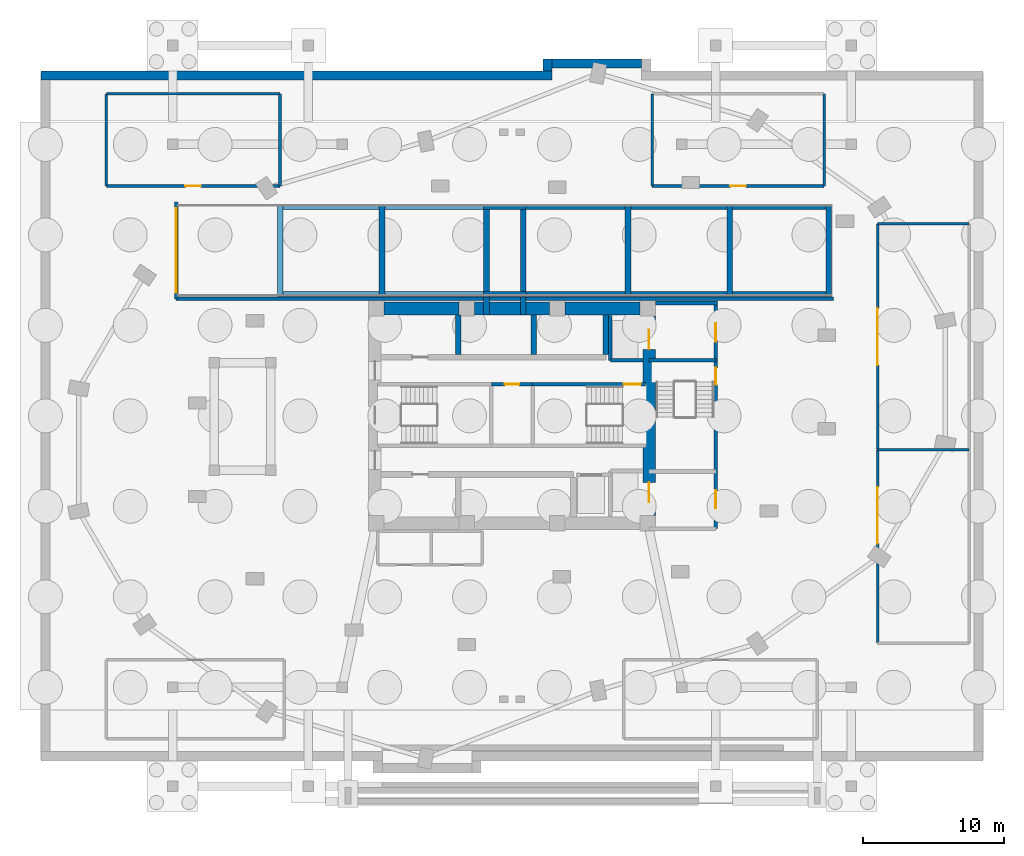
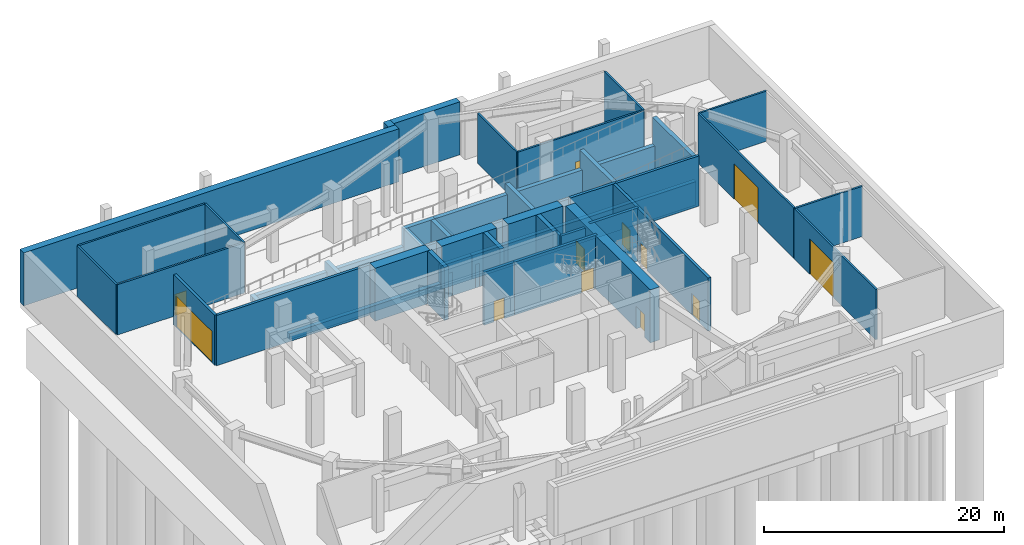
# One storey, part 4 of 8: 43 walls, 12 doors, 12 openings.
"""IFC4 building model written with IfcOpenShell, lengths in metres."""

from ifc_helpers import new_model, si_unit, direction, frame, frame_2d, origin, place, context, subcontext, project, spatial, rectangle, extrude, material, layer, layer_set, type_object, element, fill, save


model = new_model("IFC4")

# Units and contexts
model_context = context("Model", 3, precision=1e-05, world=origin(), true_north=direction((0.0, 1.0)))
body_context = subcontext(model_context, "Body", "Model", "MODEL_VIEW")
ifc_project = project(units=[si_unit("LENGTHUNIT", "METRE"), si_unit("AREAUNIT", "SQUARE_METRE"), si_unit("VOLUMEUNIT", "CUBIC_METRE"), si_unit("PLANEANGLEUNIT", "RADIAN"), si_unit("MASSUNIT", "GRAM", prefix="KILO")], contexts=[model_context])

# Site, building, storey
site_placement = place(None, origin())
site = spatial("IfcSite", under=ifc_project, at=site_placement, CompositionType="ELEMENT")
building_placement = place(site_placement, origin())
building = spatial("IfcBuilding", under=site, at=building_placement, Name="Lazwardi Medical Tower", CompositionType="ELEMENT")
storey_placement = place(building_placement, frame((0.0, 0.0, -5.39990234375)))
storey = spatial("IfcBuildingStorey", under=building, at=storey_placement, Name="B1", CompositionType="ELEMENT", Elevation=-5.39990234375)

# Wall
ifc_material_1 = material(Name="Fire-rated gypsum board on steel stud", Category="steel")
ifc_layer_1 = layer(ifc_material_1, 0.179931640625)
ifc_layer_set_1 = layer_set([ifc_layer_1], Name="Fire-rated gypsum board on steel stud")
wall_type_1 = type_object("IfcWallType", Name="WL-COR-180", PredefinedType="PARTITIONING", material=ifc_layer_set_1)
wall_1_placement = place(storey_placement, frame((61.8701171875, 25.60009765625, 0.0), z_axis=(0.0, 0.0, 1.0), x_axis=(1.0, 0.0, 0.0)))
element("IfcWall", 1, at=wall_1_placement, inside=storey, type_object=wall_type_1, Name="B1 Loading Bay wall N", PredefinedType="PARTITIONING", context=body_context, shape_type="SweptSolid", body=[
    extrude(rectangle(XDim=6.4599609375, YDim=0.179931640625, at=frame_2d((3.22998046875, 0.0))), origin(), (0.0, 0.0, 1.0), 5.119873046875),
])

# Wall, opening, door
wall_2_placement = place(storey_placement, frame((61.860107421875, 11.919921875, 0.0), z_axis=(0.0, 0.0, 1.0), x_axis=(0.0, 1.0, 0.0)))
wall_2 = element("IfcWall", 2, at=wall_2_placement, inside=storey, type_object=wall_type_1, Name="B1 Loading Bay wall W", PredefinedType="PARTITIONING", context=body_context, shape_type="SweptSolid", body=[
    extrude(rectangle(XDim=13.670166015625, YDim=0.179931640625, at=frame_2d((6.8349609375, 0.0))), origin(), (0.0, 0.0, 1.0), 5.119873046875),
])
opening_1_placement = place(wall_2_placement, frame((7.034912109375, 0.0, 0.0)))
opening_1 = element("IfcOpeningElement", 3, at=opening_1_placement, cuts=wall_2, Name="Opening VG-B1-001", PredefinedType="OPENING", context=body_context, shape_type="SweptSolid", body=[
    extrude(rectangle(XDim=4.0, YDim=3.60009765625, at=frame_2d((2.0, 1.800048828125))), frame((0.0, 0.099853515625, 0.0), z_axis=(0.0, -1.0, 0.0), x_axis=(1.0, 0.0, 0.0)), (0.0, 0.0, 1.0), 0.199951171875),
])
ifc_material_2 = material(Name="Insulated galvanised steel roller shutter", Category="steel")
door_type_1 = type_object("IfcDoorType", Name="DR-LDG-4000", OperationType="NOTDEFINED", PredefinedType="GATE", material=ifc_material_2)
door_1_placement = place(opening_1_placement, origin())
door_1 = element("IfcDoor", 4, at=door_1_placement, inside=storey, type_object=door_type_1, Name="B1 Loading Bay Door", OperationType="ROLLINGUP", OverallHeight=3.60009765625, OverallWidth=4.0, PredefinedType="GATE", context=body_context, shape_type="SweptSolid", body=[
    extrude(rectangle(XDim=4.0, YDim=3.60009765625, at=frame_2d((2.0, 1.800048828125))), frame((0.0, 0.02490234375, 0.0), z_axis=(0.0, -1.0, 0.0), x_axis=(1.0, 0.0, 0.0)), (0.0, 0.0, 1.0), 0.050048828125),
])
fill(opening_1, door_1)

# Wall
wall_3_placement = place(storey_placement, frame((61.8701171875, 41.590087890625, 0.0), z_axis=(0.0, 0.0, 1.0), x_axis=(1.0, 0.0, 0.0)))
element("IfcWall", 5, at=wall_3_placement, inside=storey, type_object=wall_type_1, Name="B1 Sterile Store wall N", PredefinedType="PARTITIONING", context=body_context, shape_type="SweptSolid", body=[
    extrude(rectangle(XDim=6.4599609375, YDim=0.179931640625, at=frame_2d((3.22998046875, 0.0))), origin(), (0.0, 0.0, 1.0), 5.119873046875),
])

# Wall, opening, door
wall_4_placement = place(storey_placement, frame((61.860107421875, 25.610107421875, 0.0), z_axis=(0.0, 0.0, 1.0), x_axis=(0.0, 1.0, 0.0)))
wall_4 = element("IfcWall", 6, at=wall_4_placement, inside=storey, type_object=wall_type_1, Name="B1 Sterile Store wall W", PredefinedType="PARTITIONING", context=body_context, shape_type="SweptSolid", body=[
    extrude(rectangle(XDim=15.969970703125, YDim=0.179931640625, at=frame_2d((7.98486328125, 0.0))), origin(), (0.0, 0.0, 1.0), 5.119873046875),
])
opening_2_placement = place(wall_4_placement, frame((5.985107421875, 0.0, 0.0)))
opening_2 = element("IfcOpeningElement", 7, at=opening_2_placement, cuts=wall_4, Name="Opening VG-B1-002", PredefinedType="OPENING", context=body_context, shape_type="SweptSolid", body=[
    extrude(rectangle(XDim=4.0, YDim=3.60009765625, at=frame_2d((2.0, 1.800048828125))), frame((0.0, 0.099853515625, 0.0), z_axis=(0.0, -1.0, 0.0), x_axis=(1.0, 0.0, 0.0)), (0.0, 0.0, 1.0), 0.199951171875),
])
door_2_placement = place(opening_2_placement, origin())
door_2 = element("IfcDoor", 8, at=door_2_placement, inside=storey, type_object=door_type_1, Name="B1 Sterile Store Door", OperationType="ROLLINGUP", OverallHeight=3.60009765625, OverallWidth=4.0, PredefinedType="GATE", context=body_context, shape_type="SweptSolid", body=[
    extrude(rectangle(XDim=4.0, YDim=3.60009765625, at=frame_2d((2.0, 1.800048828125))), frame((0.0, 0.02490234375, 0.0), z_axis=(0.0, -1.0, 0.0), x_axis=(1.0, 0.0, 0.0)), (0.0, 0.0, 1.0), 0.050048828125),
])
fill(opening_2, door_2)

wall_5_placement = place(storey_placement, frame((45.919921875, 44.260009765625, 0.0), z_axis=(0.0, 0.0, 1.0), x_axis=(1.0, 0.0, 0.0)))
wall_5 = element("IfcWall", 9, at=wall_5_placement, inside=storey, type_object=wall_type_1, Name="B1 Medical Gas Plant Room wall S", PredefinedType="PARTITIONING", context=body_context, shape_type="SweptSolid", body=[
    extrude(rectangle(XDim=12.16015625, YDim=0.179931640625, at=frame_2d((6.080078125, 0.0))), origin(), (0.0, 0.0, 1.0), 5.119873046875),
])
opening_3_placement = place(wall_5_placement, frame((5.530029296875, 0.0, 0.0)))
opening_3 = element("IfcOpeningElement", 10, at=opening_3_placement, cuts=wall_5, Name="Opening D-B1-010", PredefinedType="OPENING", context=body_context, shape_type="SweptSolid", body=[
    extrude(rectangle(XDim=1.10009765625, YDim=2.14990234375, at=frame_2d((0.550048828125, 1.074951171875))), frame((0.0, 0.099853515625, 0.0), z_axis=(0.0, -1.0, 0.0), x_axis=(1.0, 0.0, 0.0)), (0.0, 0.0, 1.0), 0.199951171875),
])
ifc_material_3 = material(Name="Fire-rated steel leaf and frame", Category="steel")
door_type_2 = type_object("IfcDoorType", Name="DR-PLT-1100", OperationType="NOTDEFINED", PredefinedType="DOOR", material=ifc_material_3)
door_3_placement = place(opening_3_placement, origin())
door_3 = element("IfcDoor", 11, at=door_3_placement, inside=storey, type_object=door_type_2, Name="B1 Medical Gas Plant Room Door", OperationType="SINGLE_SWING_RIGHT", OverallHeight=2.14990234375, OverallWidth=1.10009765625, PredefinedType="DOOR", context=body_context, shape_type="SweptSolid", body=[
    extrude(rectangle(XDim=1.10009765625, YDim=2.14990234375, at=frame_2d((0.550048828125, 1.074951171875))), frame((0.0, 0.02490234375, 0.0), z_axis=(0.0, -1.0, 0.0), x_axis=(1.0, 0.0, 0.0)), (0.0, 0.0, 1.0), 0.050048828125),
])
fill(opening_3, door_3)

# Walls
for number, where, z_axis, x_axis, name in (
    (12, (58.090087890625, 44.27001953125, 0.0), (0.0, 0.0, 1.0), (0.0, 1.0, 0.0), "B1 Medical Gas Plant Room wall E"),
    (13, (45.909912109375, 44.27001953125, 0.0), (0.0, 0.0, 1.0), (0.0, 1.0, 0.0), "B1 Medical Gas Plant Room wall W"),
):
    element("IfcWall", number, at=place(storey_placement, frame(where, z_axis=z_axis, x_axis=x_axis)), inside=storey, type_object=wall_type_1, Name=name, PredefinedType="PARTITIONING", context=body_context, shape_type="SweptSolid", body=[
        extrude(rectangle(XDim=6.510009765625, YDim=0.179931640625, at=frame_2d((3.2548828125, 0.0))), origin(), (0.0, 0.0, 1.0), 5.119873046875),
    ])
wall_6_placement = place(storey_placement, frame((7.320068359375, 50.7900390625, 0.0), z_axis=(0.0, 0.0, 1.0), x_axis=(1.0, 0.0, 0.0)))
element("IfcWall", 14, at=wall_6_placement, inside=storey, type_object=wall_type_1, Name="B1 Electrical Switchroom wall N", PredefinedType="PARTITIONING", context=body_context, shape_type="SweptSolid", body=[
    extrude(rectangle(XDim=12.260009765625, YDim=0.179931640625, at=frame_2d((6.1298828125, 0.0))), origin(), (0.0, 0.0, 1.0), 5.119873046875),
])

# Wall, opening, door
wall_7_placement = place(storey_placement, frame((7.320068359375, 44.260009765625, 0.0), z_axis=(0.0, 0.0, 1.0), x_axis=(1.0, 0.0, 0.0)))
wall_7 = element("IfcWall", 15, at=wall_7_placement, inside=storey, type_object=wall_type_1, Name="B1 Electrical Switchroom wall S", PredefinedType="PARTITIONING", context=body_context, shape_type="SweptSolid", body=[
    extrude(rectangle(XDim=12.260009765625, YDim=0.179931640625, at=frame_2d((6.1298828125, 0.0))), origin(), (0.0, 0.0, 1.0), 5.119873046875),
])
opening_4_placement = place(wall_7_placement, frame((5.580078125, 0.0, 0.0)))
opening_4 = element("IfcOpeningElement", 16, at=opening_4_placement, cuts=wall_7, Name="Opening D-B1-005", PredefinedType="OPENING", context=body_context, shape_type="SweptSolid", body=[
    extrude(rectangle(XDim=1.10009765625, YDim=2.14990234375, at=frame_2d((0.550048828125, 1.074951171875))), frame((0.0, 0.099853515625, 0.0), z_axis=(0.0, -1.0, 0.0), x_axis=(1.0, 0.0, 0.0)), (0.0, 0.0, 1.0), 0.199951171875),
])
door_4_placement = place(opening_4_placement, origin())
door_4 = element("IfcDoor", 17, at=door_4_placement, inside=storey, type_object=door_type_2, Name="B1 Electrical Switchroom Door", OperationType="SINGLE_SWING_LEFT", OverallHeight=2.14990234375, OverallWidth=1.10009765625, PredefinedType="DOOR", context=body_context, shape_type="SweptSolid", body=[
    extrude(rectangle(XDim=1.10009765625, YDim=2.14990234375, at=frame_2d((0.550048828125, 1.074951171875))), frame((0.0, 0.02490234375, 0.0), z_axis=(0.0, -1.0, 0.0), x_axis=(1.0, 0.0, 0.0)), (0.0, 0.0, 1.0), 0.050048828125),
])
fill(opening_4, door_4)

# Walls
for number, where, z_axis, x_axis, name in (
    (18, (19.590087890625, 44.27001953125, 0.0), (0.0, 0.0, 1.0), (0.0, 1.0, 0.0), "B1 Electrical Switchroom wall E"),
    (19, (7.31005859375, 44.27001953125, 0.0), (0.0, 0.0, 1.0), (0.0, 1.0, 0.0), "B1 Electrical Switchroom wall W"),
):
    element("IfcWall", number, at=place(storey_placement, frame(where, z_axis=z_axis, x_axis=x_axis)), inside=storey, type_object=wall_type_1, Name=name, PredefinedType="PARTITIONING", context=body_context, shape_type="SweptSolid", body=[
        extrude(rectangle(XDim=6.510009765625, YDim=0.179931640625, at=frame_2d((3.2548828125, 0.0))), origin(), (0.0, 0.0, 1.0), 5.119873046875),
    ])

# Wall, openings, doors
ifc_material_4 = material(Name="Concrete C80/95", Category="concrete")
ifc_layer_2 = layer(ifc_material_4, 0.89990234375)
ifc_layer_set_2 = layer_set([ifc_layer_2], Name="Concrete C80/95")
wall_type_2 = type_object("IfcWallType", Name="WL-CORE-900", PredefinedType="SHEAR", material=ifc_layer_set_2)
wall_8_placement = place(storey_placement, frame((45.699951171875, 20.949951171875, 0.0), z_axis=(0.0, 0.0, 1.0), x_axis=(0.0, 1.0, 0.0)))
wall_8 = element("IfcWall", 20, at=wall_8_placement, inside=storey, type_object=wall_type_2, Name="Core wall CW-S1 east B1", PredefinedType="SHEAR", context=body_context, shape_type="SweptSolid", body=[
    extrude(rectangle(XDim=14.10009765625, YDim=0.89990234375, at=frame_2d((7.050048828125, 0.0))), origin(), (0.0, 0.0, 1.0), 5.39990234375),
])
opening_5_placement = place(wall_8_placement, frame((11.75, 0.0, 0.0)))
opening_5 = element("IfcOpeningElement", 21, at=opening_5_placement, cuts=wall_8, Name="Opening LD-B1-001", PredefinedType="OPENING", context=body_context, shape_type="SweptSolid", body=[
    extrude(rectangle(XDim=1.39990234375, YDim=2.300048828125, at=frame_2d((0.699951171875, 1.14990234375))), frame((0.0, 0.4599609375, 0.0), z_axis=(0.0, -1.0, 0.0), x_axis=(1.0, 0.0, 0.0)), (0.0, 0.0, 1.0), 0.919921875),
])
opening_6_placement = place(wall_8_placement, frame((0.949951171875, 0.0, 0.0)))
opening_6 = element("IfcOpeningElement", 22, at=opening_6_placement, cuts=wall_8, Name="Opening LD-B1-002", PredefinedType="OPENING", context=body_context, shape_type="SweptSolid", body=[
    extrude(rectangle(XDim=1.39990234375, YDim=2.300048828125, at=frame_2d((0.699951171875, 1.14990234375))), frame((0.0, 0.4599609375, 0.0), z_axis=(0.0, -1.0, 0.0), x_axis=(1.0, 0.0, 0.0)), (0.0, 0.0, 1.0), 0.919921875),
])
ifc_material_5 = material(Name="Brushed stainless steel bed-lift landing door", Category="steel")
door_type_3 = type_object("IfcDoorType", Name="DR-LFT-1400", OperationType="NOTDEFINED", PredefinedType="DOOR", material=ifc_material_5)
door_5_placement = place(opening_5_placement, origin())
door_5 = element("IfcDoor", 23, at=door_5_placement, inside=storey, type_object=door_type_3, Name="B1 Lift Landing Door FL-01", OperationType="SLIDING_TO_LEFT", OverallHeight=2.300048828125, OverallWidth=1.39990234375, PredefinedType="DOOR", context=body_context, shape_type="SweptSolid", body=[
    extrude(rectangle(XDim=1.39990234375, YDim=2.300048828125, at=frame_2d((0.699951171875, 1.14990234375))), frame((0.0, 0.02490234375, 0.0), z_axis=(0.0, -1.0, 0.0), x_axis=(1.0, 0.0, 0.0)), (0.0, 0.0, 1.0), 0.050048828125),
])
fill(opening_5, door_5)
door_6_placement = place(opening_6_placement, origin())
door_6 = element("IfcDoor", 24, at=door_6_placement, inside=storey, type_object=door_type_3, Name="B1 Lift Landing Door FL-02", OperationType="SLIDING_TO_LEFT", OverallHeight=2.300048828125, OverallWidth=1.39990234375, PredefinedType="DOOR", context=body_context, shape_type="SweptSolid", body=[
    extrude(rectangle(XDim=1.39990234375, YDim=2.300048828125, at=frame_2d((0.699951171875, 1.14990234375))), frame((0.0, 0.02490234375, 0.0), z_axis=(0.0, -1.0, 0.0), x_axis=(1.0, 0.0, 0.0)), (0.0, 0.0, 1.0), 0.050048828125),
])
fill(opening_6, door_6)

# Walls
wall_9_placement = place(storey_placement, frame((26.949951171875, 35.60009765625, 0.0), z_axis=(0.0, 0.0, 1.0), x_axis=(1.0, 0.0, 0.0)))
element("IfcWall", 25, at=wall_9_placement, inside=storey, type_object=wall_type_2, Name="Core wall CW-S1 N1 B1", PredefinedType="SHEAR", context=body_context, shape_type="SweptSolid", body=[
    extrude(rectangle(XDim=5.300048828125, YDim=0.89990234375, at=frame_2d((2.64990234375, 0.0))), origin(), (0.0, 0.0, 1.0), 5.39990234375),
])
wall_10_placement = place(storey_placement, frame((33.35009765625, 35.60009765625, 0.0), z_axis=(0.0, 0.0, 1.0), x_axis=(1.0, 0.0, 0.0)))
element("IfcWall", 26, at=wall_10_placement, inside=storey, type_object=wall_type_2, Name="Core wall CW-S1 N2 B1", PredefinedType="SHEAR", context=body_context, shape_type="SweptSolid", body=[
    extrude(rectangle(XDim=5.2998046875, YDim=0.89990234375, at=frame_2d((2.64990234375, 0.0))), origin(), (0.0, 0.0, 1.0), 5.39990234375),
])
wall_11_placement = place(storey_placement, frame((39.75, 35.60009765625, 0.0), z_axis=(0.0, 0.0, 1.0), x_axis=(1.0, 0.0, 0.0)))
element("IfcWall", 27, at=wall_11_placement, inside=storey, type_object=wall_type_2, Name="Core wall CW-S1 N3 B1", PredefinedType="SHEAR", context=body_context, shape_type="SweptSolid", body=[
    extrude(rectangle(XDim=5.300048828125, YDim=0.89990234375, at=frame_2d((2.64990234375, 0.0))), origin(), (0.0, 0.0, 1.0), 5.39990234375),
])
ifc_material_6 = material(Name="Concrete C50/60", Category="concrete")
ifc_layer_3 = layer(ifc_material_6, 0.39990234375)
ifc_layer_set_3 = layer_set([ifc_layer_3], Name="Concrete C50/60")
wall_type_3 = type_object("IfcWallType", Name="WL-PIT-400", PredefinedType="SHEAR", material=ifc_layer_set_3)
for number, where, z_axis, x_axis, name in (
    (28, (32.199951171875, 32.35009765625, 0.0), (0.0, 0.0, 1.0), (0.0, 1.0, 0.0), "Lift pit wall PW-01 north bank divider 1"),
    (29, (37.550048828125, 32.35009765625, 0.0), (0.0, 0.0, 1.0), (0.0, 1.0, 0.0), "Lift pit wall PW-01 north bank divider 2"),
    (30, (42.64990234375, 32.35009765625, 0.0), (0.0, 0.0, 1.0), (0.0, 1.0, 0.0), "Lift pit wall PW-01 north end closure"),
):
    element("IfcWall", number, at=place(storey_placement, frame(where, z_axis=z_axis, x_axis=x_axis)), inside=storey, type_object=wall_type_3, Name=name, PredefinedType="SHEAR", context=body_context, shape_type="SweptSolid", body=[
        extrude(rectangle(XDim=2.7998046875, YDim=0.39990234375, at=frame_2d((1.39990234375, 0.0))), origin(), (0.0, 0.0, 1.0), 5.39990234375),
    ])
wall_12_placement = place(storey_placement, frame((19.60009765625, 36.39990234375, 0.0), z_axis=(0.0, 0.0, 1.0), x_axis=(0.0, 1.0, 0.0)))
element("IfcWall", 31, at=wall_12_placement, inside=storey, type_object=wall_type_3, Name="B1 Vehicle Ramp Flight 1 Pier Wall 1", PredefinedType="SHEAR", context=body_context, shape_type="SweptSolid", body=[
    extrude(rectangle(XDim=6.60009765625, YDim=0.39990234375, at=frame_2d((3.300048828125, 0.0))), origin(), (0.0, 0.0, 1.0), 0.599853515625),
])
wall_13_placement = place(storey_placement, frame((26.800048828125, 36.39990234375, 0.0), z_axis=(0.0, 0.0, 1.0), x_axis=(0.0, 1.0, 0.0)))
element("IfcWall", 32, at=wall_13_placement, inside=storey, type_object=wall_type_3, Name="B1 Vehicle Ramp Flight 1 Pier Wall 2", PredefinedType="SHEAR", context=body_context, shape_type="SweptSolid", body=[
    extrude(rectangle(XDim=6.60009765625, YDim=0.39990234375, at=frame_2d((3.300048828125, 0.0))), origin(), (0.0, 0.0, 1.0), 1.5),
])
for number, where, z_axis, x_axis, name in (
    (33, (19.39990234375, 36.60009765625, 0.0), (0.0, 0.0, 1.0), (1.0, 0.0, 0.0), "B1 Vehicle Ramp Flight 1 South Support Wall"),
    (34, (19.39990234375, 42.800048828125, 0.0), (0.0, 0.0, 1.0), (1.0, 0.0, 0.0), "B1 Vehicle Ramp Flight 1 North Support Wall"),
):
    element("IfcWall", number, at=place(storey_placement, frame(where, z_axis=z_axis, x_axis=x_axis)), inside=storey, type_object=wall_type_3, Name=name, PredefinedType="SHEAR", context=body_context, shape_type="SweptSolid", body=[
        extrude(rectangle(XDim=15.0, YDim=0.39990234375, at=frame_2d((7.5, 0.0))), origin(), (0.0, 0.0, 1.0), 0.599853515625),
    ])
for number, where, z_axis, x_axis, name in (
    (35, (34.199951171875, 35.14990234375, 0.0), (0.0, 0.0, 1.0), (0.0, 1.0, 0.0), "B1 Vehicle Ramp Mid-Landing West Wall"),
    (36, (36.800048828125, 35.14990234375, 0.0), (0.0, 0.0, 1.0), (0.0, 1.0, 0.0), "B1 Vehicle Ramp Mid-Landing East Wall"),
):
    element("IfcWall", number, at=place(storey_placement, frame(where, z_axis=z_axis, x_axis=x_axis)), inside=storey, type_object=wall_type_3, Name=name, PredefinedType="SHEAR", context=body_context, shape_type="SweptSolid", body=[
        extrude(rectangle(XDim=7.85009765625, YDim=0.39990234375, at=frame_2d((3.925048828125, 0.0))), origin(), (0.0, 0.0, 1.0), 2.39990234375),
    ])
for number, where, z_axis, x_axis, name in (
    (37, (34.0, 36.60009765625, 0.0), (0.0, 0.0, 1.0), (1.0, 0.0, 0.0), "B1 Vehicle Ramp Mid-Landing South Wall"),
    (38, (34.0, 42.800048828125, 0.0), (0.0, 0.0, 1.0), (1.0, 0.0, 0.0), "B1 Vehicle Ramp Mid-Landing North Wall"),
):
    element("IfcWall", number, at=place(storey_placement, frame(where, z_axis=z_axis, x_axis=x_axis)), inside=storey, type_object=wall_type_3, Name=name, PredefinedType="SHEAR", context=body_context, shape_type="SweptSolid", body=[
        extrude(rectangle(XDim=3.0, YDim=0.39990234375, at=frame_2d((1.5, 0.0))), origin(), (0.0, 0.0, 1.0), 2.39990234375),
    ])
wall_14_placement = place(storey_placement, frame((44.199951171875, 36.39990234375, 0.0), z_axis=(0.0, 0.0, 1.0), x_axis=(0.0, 1.0, 0.0)))
element("IfcWall", 39, at=wall_14_placement, inside=storey, type_object=wall_type_3, Name="B1 Vehicle Ramp Flight 2 Pier Wall 1", PredefinedType="SHEAR", context=body_context, shape_type="SweptSolid", body=[
    extrude(rectangle(XDim=6.60009765625, YDim=0.39990234375, at=frame_2d((3.300048828125, 0.0))), origin(), (0.0, 0.0, 1.0), 3.2998046875),
])
wall_15_placement = place(storey_placement, frame((51.39990234375, 36.39990234375, 0.0), z_axis=(0.0, 0.0, 1.0), x_axis=(0.0, 1.0, 0.0)))
element("IfcWall", 40, at=wall_15_placement, inside=storey, type_object=wall_type_3, Name="B1 Vehicle Ramp Flight 2 Pier Wall 2", PredefinedType="SHEAR", context=body_context, shape_type="SweptSolid", body=[
    extrude(rectangle(XDim=6.60009765625, YDim=0.39990234375, at=frame_2d((3.300048828125, 0.0))), origin(), (0.0, 0.0, 1.0), 4.199951171875),
])
for number, where, z_axis, x_axis, name in (
    (41, (36.60009765625, 36.60009765625, 0.0), (0.0, 0.0, 1.0), (1.0, 0.0, 0.0), "B1 Vehicle Ramp Flight 2 South Support Wall"),
    (42, (36.60009765625, 42.800048828125, 0.0), (0.0, 0.0, 1.0), (1.0, 0.0, 0.0), "B1 Vehicle Ramp Flight 2 North Support Wall"),
):
    element("IfcWall", number, at=place(storey_placement, frame(where, z_axis=z_axis, x_axis=x_axis)), inside=storey, type_object=wall_type_3, Name=name, PredefinedType="SHEAR", context=body_context, shape_type="SweptSolid", body=[
        extrude(rectangle(XDim=22.0, YDim=0.39990234375, at=frame_2d((11.0, 0.0))), origin(), (0.0, 0.0, 1.0), 2.39990234375),
    ])
wall_16_placement = place(storey_placement, frame((58.39990234375, 36.39990234375, 0.0), z_axis=(0.0, 0.0, 1.0), x_axis=(0.0, 1.0, 0.0)))
element("IfcWall", 43, at=wall_16_placement, inside=storey, type_object=wall_type_3, Name="B1 Vehicle Ramp Head Bearing Wall", PredefinedType="SHEAR", context=body_context, shape_type="SweptSolid", body=[
    extrude(rectangle(XDim=6.60009765625, YDim=0.39990234375, at=frame_2d((3.300048828125, 0.0))), origin(), (0.0, 0.0, 1.0), 5.099853515625),
])
ifc_layer_4 = layer(ifc_material_6, 0.64990234375)
ifc_layer_set_4 = layer_set([ifc_layer_4], Name="Concrete C50/60")
wall_type_4 = type_object("IfcWallType", Name="WL-RET-650", PredefinedType="SHEAR", material=ifc_layer_set_4)
wall_17_placement = place(storey_placement, frame((2.675048828125, 52.074951171875, 0.0), z_axis=(0.0, 0.0, 1.0), x_axis=(1.0, 0.0, 0.0)))
element("IfcWall", 44, at=wall_17_placement, inside=storey, type_object=wall_type_4, Name="Basement retaining wall RW-01 north west", PredefinedType="SHEAR", context=body_context, shape_type="SweptSolid", body=[
    extrude(rectangle(XDim=36.14990234375, YDim=0.64990234375, at=frame_2d((18.074951171875, 0.0))), origin(), (0.0, 0.0, 1.0), 5.39990234375),
])
wall_18_placement = place(storey_placement, frame((38.5, 52.39990234375, 0.0), z_axis=(0.0, 0.0, 1.0), x_axis=(0.0, 1.0, 0.0)))
element("IfcWall", 45, at=wall_18_placement, inside=storey, type_object=wall_type_4, Name="Basement retaining wall RW-01 north step west", PredefinedType="SHEAR", context=body_context, shape_type="SweptSolid", body=[
    extrude(rectangle(XDim=0.85009765625, YDim=0.64990234375, at=frame_2d((0.425048828125, 0.0))), origin(), (0.0, 0.0, 1.0), 5.39990234375),
])
wall_19_placement = place(storey_placement, frame((38.824951171875, 52.925048828125, 0.0), z_axis=(0.0, 0.0, 1.0), x_axis=(1.0, 0.0, 0.0)))
element("IfcWall", 46, at=wall_19_placement, inside=storey, type_object=wall_type_4, Name="Basement retaining wall RW-01 north central", PredefinedType="SHEAR", context=body_context, shape_type="SweptSolid", body=[
    extrude(rectangle(XDim=6.35009765625, YDim=0.64990234375, at=frame_2d((3.175048828125, 0.0))), origin(), (0.0, 0.0, 1.0), 5.39990234375),
])
ifc_material_7 = material(Name="Autoclaved aerated concrete blockwork", Category="masonry")
ifc_layer_5 = layer(ifc_material_7, 0.25)
ifc_layer_set_5 = layer_set([ifc_layer_5], Name="Autoclaved aerated concrete blockwork")
wall_type_5 = type_object("IfcWallType", Name="WL-SHAFT-250", PredefinedType="SOLIDWALL", material=ifc_layer_set_5)
wall_20_placement = place(storey_placement, frame((42.949951171875, 31.919921875, 0.0), z_axis=(0.0, 0.0, 1.0), x_axis=(0.0, 1.0, 0.0)))
element("IfcWall", 47, at=wall_20_placement, inside=storey, type_object=wall_type_5, Name="B1 FL-01 West shaft wall", PredefinedType="SOLIDWALL", context=body_context, shape_type="SweptSolid", body=[
    extrude(rectangle(XDim=3.18017578125, YDim=0.25, at=frame_2d((1.590087890625, 0.0))), origin(), (0.0, 0.0, 1.0), 5.119873046875),
])
wall_21_placement = place(storey_placement, frame((42.949951171875, 31.919921875, 0.0), z_axis=(0.0, 0.0, 1.0), x_axis=(1.0, 0.0, 0.0)))
element("IfcWall", 48, at=wall_21_placement, inside=storey, type_object=wall_type_5, Name="B1 FL-01 South shaft wall", PredefinedType="SOLIDWALL", context=body_context, shape_type="SweptSolid", body=[
    extrude(rectangle(XDim=2.300048828125, YDim=0.25, at=frame_2d((1.14990234375, 0.0))), origin(), (0.0, 0.0, 1.0), 5.119873046875),
])
wall_22_placement = place(storey_placement, frame((12.25, 36.280029296875, 0.0), z_axis=(0.0, 0.0, 1.0), x_axis=(1.0, 0.0, 0.0)))
element("IfcWall", 49, at=wall_22_placement, inside=storey, type_object=wall_type_5, Name="B1 Vehicle ramp South enclosure wall", PredefinedType="SOLIDWALL", context=body_context, shape_type="SweptSolid", body=[
    extrude(rectangle(XDim=46.5, YDim=0.25, at=frame_2d((23.25, 0.0))), origin(), (0.0, 0.0, 1.0), 5.119873046875),
])

# Wall, opening, door
wall_23_placement = place(storey_placement, frame((12.25, 36.280029296875, 0.0), z_axis=(0.0, 0.0, 1.0), x_axis=(0.0, 1.0, 0.0)))
wall_23 = element("IfcWall", 50, at=wall_23_placement, inside=storey, type_object=wall_type_5, Name="B1 Vehicle ramp foot portal wall", PredefinedType="SOLIDWALL", context=body_context, shape_type="SweptSolid", body=[
    extrude(rectangle(XDim=6.840087890625, YDim=0.25, at=frame_2d((3.419921875, 0.0))), origin(), (0.0, 0.0, 1.0), 5.119873046875),
])
opening_7_placement = place(wall_23_placement, frame((0.419921875, 0.0, 0.0)))
opening_7 = element("IfcOpeningElement", 51, at=opening_7_placement, cuts=wall_23, Name="Opening VG-B1-003", PredefinedType="OPENING", context=body_context, shape_type="SweptSolid", body=[
    extrude(rectangle(XDim=6.0, YDim=3.199951171875, at=frame_2d((3.0, 1.60009765625))), frame((0.0, 0.135009765625, 0.0), z_axis=(0.0, -1.0, 0.0), x_axis=(1.0, 0.0, 0.0)), (0.0, 0.0, 1.0), 0.27001953125),
])
ifc_material_8 = material(Name="Perforated anodised bronze aluminium security gate", Category="aluminium")
door_type_4 = type_object("IfcDoorType", Name="DR-VEH-6000", OperationType="NOTDEFINED", PredefinedType="GATE", material=ifc_material_8)
door_7_placement = place(opening_7_placement, origin())
door_7 = element("IfcDoor", 52, at=door_7_placement, inside=storey, type_object=door_type_4, Name="B1 Car Park Ramp Gate VG-01B", OperationType="FOLDING_TO_LEFT", OverallHeight=3.199951171875, OverallWidth=6.0, PredefinedType="GATE", context=body_context, shape_type="SweptSolid", body=[
    extrude(rectangle(XDim=6.0, YDim=3.199951171875, at=frame_2d((3.0, 1.60009765625))), frame((0.0, 0.02490234375, 0.0), z_axis=(0.0, -1.0, 0.0), x_axis=(1.0, 0.0, 0.0)), (0.0, 0.0, 1.0), 0.050048828125),
])
fill(opening_7, door_7)

ifc_layer_6 = layer(ifc_material_6, 0.27001953125)
ifc_layer_set_6 = layer_set([ifc_layer_6], Name="Concrete C50/60")
wall_type_6 = type_object("IfcWallType", Name="WL-STR-250", PredefinedType="SHEAR", material=ifc_layer_set_6)
wall_24_placement = place(storey_placement, frame((34.534912109375, 30.235107421875, 0.0), z_axis=(0.0, 0.0, 1.0), x_axis=(1.0, 0.0, 0.0)))
wall_24 = element("IfcWall", 53, at=wall_24_placement, inside=storey, type_object=wall_type_6, Name="B1 Core service North shear wall SW-S1", PredefinedType="SHEAR", context=body_context, shape_type="SweptSolid", body=[
    extrude(rectangle(XDim=2.93017578125, YDim=0.27001953125, at=frame_2d((1.465087890625, 0.0))), origin(), (0.0, 0.0, 1.0), 5.39990234375),
])
opening_8_placement = place(wall_24_placement, frame((0.965087890625, 0.0, 0.0)))
opening_8 = element("IfcOpeningElement", 54, at=opening_8_placement, cuts=wall_24, Name="Opening D-B1-004", PredefinedType="OPENING", context=body_context, shape_type="SweptSolid", body=[
    extrude(rectangle(XDim=1.0, YDim=2.10009765625, at=frame_2d((0.5, 1.050048828125))), frame((0.0, 0.14501953125, 0.0), z_axis=(0.0, -1.0, 0.0), x_axis=(1.0, 0.0, 0.0)), (0.0, 0.0, 1.0), 0.2900390625),
])
ifc_material_9 = material(Name="Moisture-resistant laminate door leaf")
door_type_5 = type_object("IfcDoorType", Name="DR-AWC-1000", OperationType="NOTDEFINED", PredefinedType="DOOR", material=ifc_material_9)
door_8_placement = place(opening_8_placement, origin())
door_8 = element("IfcDoor", 55, at=door_8_placement, inside=storey, type_object=door_type_5, Name="B1 Accessible WC Door", OperationType="SINGLE_SWING_RIGHT", OverallHeight=2.10009765625, OverallWidth=1.0, PredefinedType="DOOR", context=body_context, shape_type="SweptSolid", body=[
    extrude(rectangle(XDim=1.0, YDim=2.10009765625, at=frame_2d((0.5, 1.050048828125))), frame((0.0, 0.02490234375, 0.0), z_axis=(0.0, -1.0, 0.0), x_axis=(1.0, 0.0, 0.0)), (0.0, 0.0, 1.0), 0.050048828125),
])
fill(opening_8, door_8)

wall_25_placement = place(storey_placement, frame((37.465087890625, 30.235107421875, 0.0), z_axis=(0.0, 0.0, 1.0), x_axis=(1.0, 0.0, 0.0)))
wall_25 = element("IfcWall", 56, at=wall_25_placement, inside=storey, type_object=wall_type_6, Name="B1 ST2 North shear shaft wall SW-S1", PredefinedType="SHEAR", context=body_context, shape_type="SweptSolid", body=[
    extrude(rectangle(XDim=7.98486328125, YDim=0.27001953125, at=frame_2d((3.992431640625, 0.0))), origin(), (0.0, 0.0, 1.0), 5.39990234375),
])
opening_9_placement = place(wall_25_placement, frame((6.455078125, 0.0, 0.0)))
opening_9 = element("IfcOpeningElement", 57, at=opening_9_placement, cuts=wall_25, Name="Opening D-B1-013", PredefinedType="OPENING", context=body_context, shape_type="SweptSolid", body=[
    extrude(rectangle(XDim=1.199951171875, YDim=2.14990234375, at=frame_2d((0.60009765625, 1.074951171875))), frame((0.0, 0.14501953125, 0.0), z_axis=(0.0, -1.0, 0.0), x_axis=(1.0, 0.0, 0.0)), (0.0, 0.0, 1.0), 0.2900390625),
])
door_type_6 = type_object("IfcDoorType", Name="DR-STR-1200", OperationType="NOTDEFINED", PredefinedType="DOOR", material=ifc_material_3)
door_9_placement = place(opening_9_placement, origin())
door_9 = element("IfcDoor", 58, at=door_9_placement, inside=storey, type_object=door_type_6, Name="B1 Exit Stair ST2 Door", OperationType="SINGLE_SWING_LEFT", OverallHeight=2.14990234375, OverallWidth=1.199951171875, PredefinedType="DOOR", context=body_context, shape_type="SweptSolid", body=[
    extrude(rectangle(XDim=1.199951171875, YDim=2.14990234375, at=frame_2d((0.60009765625, 1.074951171875))), frame((0.0, 0.02490234375, 0.0), z_axis=(0.0, -1.0, 0.0), x_axis=(1.0, 0.0, 0.0)), (0.0, 0.0, 1.0), 0.050048828125),
])
fill(opening_9, door_9)

# Wall, openings, doors
wall_26_placement = place(storey_placement, frame((50.4150390625, 35.844970703125, 0.0), z_axis=(0.0, 0.0, 1.0), x_axis=(0.0, -1.0, 0.0)))
wall_26 = element("IfcWall", 59, at=wall_26_placement, inside=storey, type_object=wall_type_6, Name="B1 East ST3 & FFL shear wall SW-S1", PredefinedType="SHEAR", context=body_context, shape_type="SweptSolid", body=[
    extrude(rectangle(XDim=15.824951171875, YDim=0.27001953125, at=frame_2d((7.91259765625, 0.0))), origin(), (0.0, 0.0, 1.0), 5.39990234375),
])
opening_10_placement = place(wall_26_placement, frame((4.445068359375, 0.0, 0.0)))
opening_10 = element("IfcOpeningElement", 60, at=opening_10_placement, cuts=wall_26, Name="Opening D-B1-014", PredefinedType="OPENING", context=body_context, shape_type="SweptSolid", body=[
    extrude(rectangle(XDim=1.199951171875, YDim=2.14990234375, at=frame_2d((0.60009765625, 1.074951171875))), frame((0.0, 0.14501953125, 0.0), z_axis=(0.0, -1.0, 0.0), x_axis=(1.0, 0.0, 0.0)), (0.0, 0.0, 1.0), 0.2900390625),
])
opening_11_placement = place(wall_26_placement, frame((1.294921875, 0.0, 0.0)))
opening_11 = element("IfcOpeningElement", 61, at=opening_11_placement, cuts=wall_26, Name="Opening D-B1-006", PredefinedType="OPENING", context=body_context, shape_type="SweptSolid", body=[
    extrude(rectangle(XDim=1.300048828125, YDim=2.199951171875, at=frame_2d((0.64990234375, 1.10009765625))), frame((0.0, 0.14501953125, 0.0), z_axis=(0.0, -1.0, 0.0), x_axis=(1.0, 0.0, 0.0)), (0.0, 0.0, 1.0), 0.2900390625),
])
opening_12_placement = place(wall_26_placement, frame((13.094970703125, 0.0, 0.0)))
opening_12 = element("IfcOpeningElement", 62, at=opening_12_placement, cuts=wall_26, Name="Opening D-B1-007", PredefinedType="OPENING", context=body_context, shape_type="SweptSolid", body=[
    extrude(rectangle(XDim=1.300048828125, YDim=2.199951171875, at=frame_2d((0.64990234375, 1.10009765625))), frame((0.0, 0.14501953125, 0.0), z_axis=(0.0, -1.0, 0.0), x_axis=(1.0, 0.0, 0.0)), (0.0, 0.0, 1.0), 0.2900390625),
])
door_type_7 = type_object("IfcDoorType", Name="DR-FFL-1300", OperationType="NOTDEFINED", PredefinedType="DOOR", material=ifc_material_3)
door_10_placement = place(opening_11_placement, origin())
door_10 = element("IfcDoor", 63, at=door_10_placement, inside=storey, type_object=door_type_7, Name="B1 Fire-Fighting Lobby North Door", OperationType="SINGLE_SWING_RIGHT", OverallHeight=2.199951171875, OverallWidth=1.300048828125, PredefinedType="DOOR", context=body_context, shape_type="SweptSolid", body=[
    extrude(rectangle(XDim=1.300048828125, YDim=2.199951171875, at=frame_2d((0.64990234375, 1.10009765625))), frame((0.0, 0.02490234375, 0.0), z_axis=(0.0, -1.0, 0.0), x_axis=(1.0, 0.0, 0.0)), (0.0, 0.0, 1.0), 0.050048828125),
])
fill(opening_11, door_10)
door_11_placement = place(opening_12_placement, origin())
door_11 = element("IfcDoor", 64, at=door_11_placement, inside=storey, type_object=door_type_7, Name="B1 Fire-Fighting Lobby South Door", OperationType="SINGLE_SWING_LEFT", OverallHeight=2.199951171875, OverallWidth=1.300048828125, PredefinedType="DOOR", context=body_context, shape_type="SweptSolid", body=[
    extrude(rectangle(XDim=1.300048828125, YDim=2.199951171875, at=frame_2d((0.64990234375, 1.10009765625))), frame((0.0, 0.02490234375, 0.0), z_axis=(0.0, -1.0, 0.0), x_axis=(1.0, 0.0, 0.0)), (0.0, 0.0, 1.0), 0.050048828125),
])
fill(opening_12, door_11)
door_12_placement = place(opening_10_placement, origin())
door_12 = element("IfcDoor", 65, at=door_12_placement, inside=storey, type_object=door_type_6, Name="B1 Exit Stair ST3 Door", OperationType="SINGLE_SWING_LEFT", OverallHeight=2.14990234375, OverallWidth=1.199951171875, PredefinedType="DOOR", context=body_context, shape_type="SweptSolid", body=[
    extrude(rectangle(XDim=1.199951171875, YDim=2.14990234375, at=frame_2d((0.60009765625, 1.074951171875))), frame((0.0, 0.02490234375, 0.0), z_axis=(0.0, -1.0, 0.0), x_axis=(1.0, 0.0, 0.0)), (0.0, 0.0, 1.0), 0.050048828125),
])
fill(opening_10, door_12)

# Walls
wall_27_placement = place(storey_placement, frame((46.14990234375, 35.97998046875, 0.0), z_axis=(0.0, 0.0, 1.0), x_axis=(1.0, 0.0, 0.0)))
element("IfcWall", 66, at=wall_27_placement, inside=storey, type_object=wall_type_6, Name="B1 FFL-N North shear wall SW-S1", PredefinedType="SHEAR", context=body_context, shape_type="SweptSolid", body=[
    extrude(rectangle(XDim=4.400146484375, YDim=0.27001953125, at=frame_2d((2.2001953125, 0.0))), origin(), (0.0, 0.0, 1.0), 5.39990234375),
])
wall_28_placement = place(storey_placement, frame((45.699951171875, 31.93505859375, 0.0), z_axis=(0.0, 0.0, 1.0), x_axis=(1.0, 0.0, 0.0)))
element("IfcWall", 67, at=wall_28_placement, inside=storey, type_object=wall_type_6, Name="B1 ST3 North shear shaft wall SW-S1", PredefinedType="SHEAR", context=body_context, shape_type="SweptSolid", body=[
    extrude(rectangle(XDim=4.715087890625, YDim=0.27001953125, at=frame_2d((2.357421875, 0.0))), origin(), (0.0, 0.0, 1.0), 5.39990234375),
])

save(model, "model.ifc")
